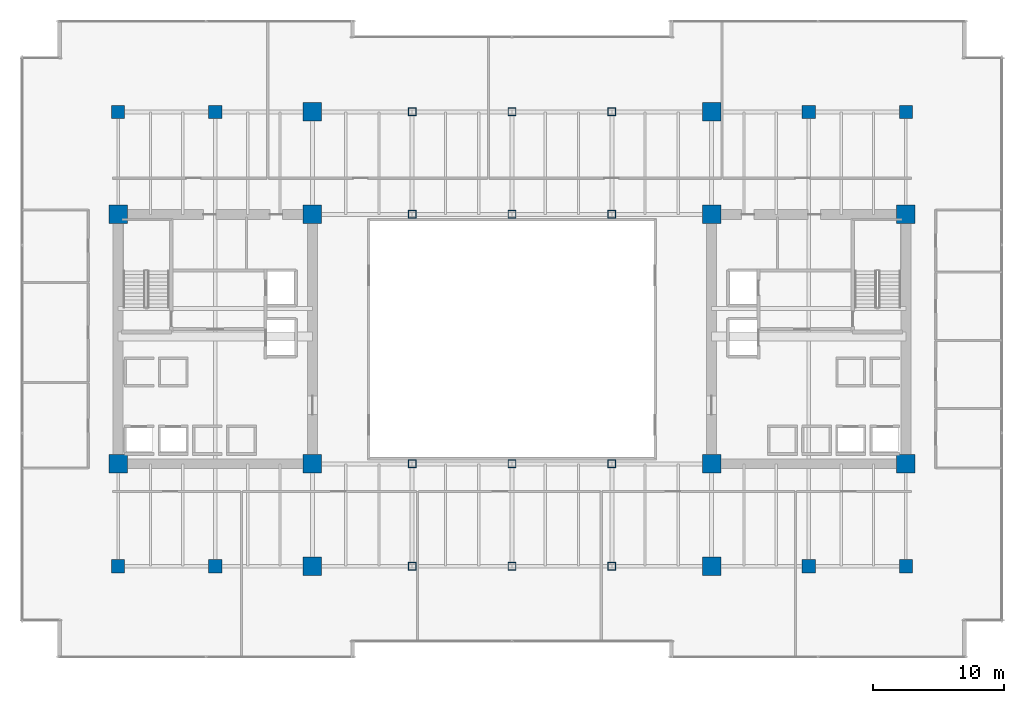
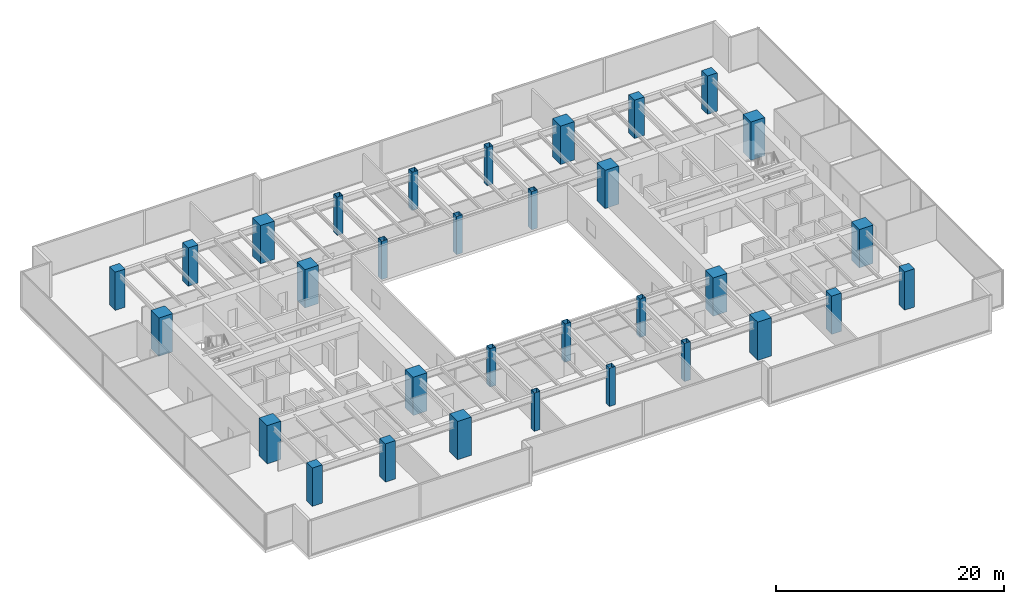
# One storey, part 1 of 35: 32 columns.
"""IFC4 building model written with IfcOpenShell, lengths in metres."""

from ifc_helpers import new_model, si_unit, direction, frame, origin, origin_2d, place, context, subcontext, project, spatial, rectangle, hollow_rectangle, extrude, source, transform, mapped, material, material_profile, profile_set, type_object, type_shapes, element, save


model = new_model("IFC4")

# Units and contexts
model_context = context("Model", 3, precision=1e-05, world=origin(), true_north=direction((0.0, 1.0)))
body_context = subcontext(model_context, "Body", "Model", "MODEL_VIEW")
ifc_project = project(units=[si_unit("LENGTHUNIT", "METRE"), si_unit("AREAUNIT", "SQUARE_METRE"), si_unit("VOLUMEUNIT", "CUBIC_METRE"), si_unit("PLANEANGLEUNIT", "RADIAN"), si_unit("MASSUNIT", "GRAM", prefix="KILO")], contexts=[model_context])

# Site, building, storey
site_placement = place(None, origin())
site = spatial("IfcSite", under=ifc_project, at=site_placement, CompositionType="ELEMENT")
building_placement = place(site_placement, origin())
building = spatial("IfcBuilding", under=site, at=building_placement, Name="Haelvirn Gate Laboratories", CompositionType="ELEMENT")
storey_placement = place(building_placement, frame((0.0, 0.0, 58.0)))
storey = spatial("IfcBuildingStorey", under=building, at=storey_placement, Name="L14", CompositionType="ELEMENT", Elevation=58.0)

# Columns
ifc_material_1 = material(Name="Concrete C60/75", Category="concrete")
ifc_material_profile_1 = material_profile(ifc_material_1, rectangle(XDim=1.0, YDim=1.0, at=origin_2d()), Name="RC-1000x1000")
ifc_profile_set_1 = profile_set([ifc_material_profile_1], Name="Concrete C60/75")
column_type_1 = type_object("IfcColumnType", Name="COL-RC-1000", PredefinedType="COLUMN", material=ifc_profile_set_1)
shared_shape_1 = source(origin(), body_context, "Body", "SweptSolid", [
    extrude(rectangle(XDim=1.0, YDim=1.0, at=origin_2d()), origin(), (0.0, 0.0, 1.0), 4.10009765625),
])
type_shapes(column_type_1, [shared_shape_1])
for number, where, z_axis, x_axis, name in (
    (1, (14.800048828125, 7.0, 0.0), (0.0, 0.0, 1.0), (1.0, 0.0, 0.0), "L14 Column 3B"),
    (2, (14.800048828125, 41.60009765625, 0.0), (0.0, 0.0, 1.0), (1.0, 0.0, 0.0), "L14 Column 3G"),
    (3, (60.0, 7.0, 0.0), (0.0, 0.0, 1.0), (1.0, 0.0, 0.0), "L14 Column 9B"),
    (4, (60.0, 41.60009765625, 0.0), (0.0, 0.0, 1.0), (1.0, 0.0, 0.0), "L14 Column 9G"),
    (5, (7.39990234375, 7.0, 0.0), (0.0, 0.0, 1.0), (1.0, 0.0, 0.0), "L14 Column 2B"),
    (6, (7.39990234375, 41.60009765625, 0.0), (0.0, 0.0, 1.0), (1.0, 0.0, 0.0), "L14 Column 2G"),
    (7, (67.39990234375, 7.0, 0.0), (0.0, 0.0, 1.0), (1.0, 0.0, 0.0), "L14 Column 10B"),
    (8, (67.39990234375, 41.60009765625, 0.0), (0.0, 0.0, 1.0), (1.0, 0.0, 0.0), "L14 Column 10G"),
):
    element("IfcColumn", number, at=place(storey_placement, frame(where, z_axis=z_axis, x_axis=x_axis)), inside=storey, type_object=column_type_1, Name=name, PredefinedType="COLUMN", context=body_context, shape_type="MappedRepresentation", body=[
        mapped(shared_shape_1, transform((0.0, 0.0, 0.0), scale=1.0)),
    ])
ifc_material_2 = material(Name="Concrete C70/85", Category="concrete")
ifc_material_profile_2 = material_profile(ifc_material_2, rectangle(XDim=1.39990234375, YDim=1.39990234375, at=origin_2d()), Name="SRC-1400x1400")
ifc_profile_set_2 = profile_set([ifc_material_profile_2], Name="Concrete C70/85")
column_type_2 = type_object("IfcColumnType", Name="COL-SRC-1400", PredefinedType="COLUMN", material=ifc_profile_set_2)
shared_shape_2 = source(origin(), body_context, "Body", "SweptSolid", [
    extrude(rectangle(XDim=1.39990234375, YDim=1.39990234375, at=origin_2d()), origin(), (0.0, 0.0, 1.0), 4.10009765625),
])
type_shapes(column_type_2, [shared_shape_2])
for number, where, z_axis, x_axis, name in (
    (9, (22.199951171875, 7.0, 0.0), (0.0, 0.0, 1.0), (1.0, 0.0, 0.0), "L14 Column 4B"),
    (10, (7.39990234375, 14.800048828125, 0.0), (0.0, 0.0, 1.0), (1.0, 0.0, 0.0), "L14 Column 2C"),
    (11, (22.199951171875, 14.800048828125, 0.0), (0.0, 0.0, 1.0), (1.0, 0.0, 0.0), "L14 Column 4C"),
    (12, (7.39990234375, 33.800048828125, 0.0), (0.0, 0.0, 1.0), (1.0, 0.0, 0.0), "L14 Column 2F"),
    (13, (22.199951171875, 33.800048828125, 0.0), (0.0, 0.0, 1.0), (1.0, 0.0, 0.0), "L14 Column 4F"),
    (14, (22.199951171875, 41.60009765625, 0.0), (0.0, 0.0, 1.0), (1.0, 0.0, 0.0), "L14 Column 4G"),
    (15, (52.60009765625, 7.0, 0.0), (0.0, 0.0, 1.0), (1.0, 0.0, 0.0), "L14 Column 8B"),
    (16, (52.60009765625, 14.800048828125, 0.0), (0.0, 0.0, 1.0), (1.0, 0.0, 0.0), "L14 Column 8C"),
    (17, (67.39990234375, 14.800048828125, 0.0), (0.0, 0.0, 1.0), (1.0, 0.0, 0.0), "L14 Column 10C"),
    (18, (52.60009765625, 33.800048828125, 0.0), (0.0, 0.0, 1.0), (1.0, 0.0, 0.0), "L14 Column 8F"),
    (19, (67.39990234375, 33.800048828125, 0.0), (0.0, 0.0, 1.0), (1.0, 0.0, 0.0), "L14 Column 10F"),
    (20, (52.60009765625, 41.60009765625, 0.0), (0.0, 0.0, 1.0), (1.0, 0.0, 0.0), "L14 Column 8G"),
):
    element("IfcColumn", number, at=place(storey_placement, frame(where, z_axis=z_axis, x_axis=x_axis)), inside=storey, type_object=column_type_2, Name=name, PredefinedType="COLUMN", context=body_context, shape_type="MappedRepresentation", body=[
        mapped(shared_shape_2, transform((0.0, 0.0, 0.0), scale=1.0)),
    ])
ifc_material_3 = material(Name="Steel SM420", Category="steel")
ifc_material_profile_3 = material_profile(ifc_material_3, hollow_rectangle(XDim=0.60009765625, YDim=0.60009765625, WallThickness=0.028076171875, at=origin_2d()), Name="BOX-600x600x28")
ifc_profile_set_3 = profile_set([ifc_material_profile_3], Name="Steel SM420")
column_type_3 = type_object("IfcColumnType", Name="COL-BOX-600", PredefinedType="COLUMN", material=ifc_profile_set_3)
shared_shape_3 = source(origin(), body_context, "Body", "SweptSolid", [
    extrude(hollow_rectangle(XDim=0.60009765625, YDim=0.60009765625, WallThickness=0.028076171875, at=origin_2d()), origin(), (0.0, 0.0, 1.0), 4.10009765625),
])
type_shapes(column_type_3, [shared_shape_3])
for number, where, z_axis, x_axis, name in (
    (21, (29.800048828125, 7.0, 0.0), (0.0, 0.0, 1.0), (1.0, 0.0, 0.0), "L14 Column 5B"),
    (22, (29.800048828125, 14.800048828125, 0.0), (0.0, 0.0, 1.0), (1.0, 0.0, 0.0), "L14 Column 5C"),
    (23, (29.800048828125, 33.800048828125, 0.0), (0.0, 0.0, 1.0), (1.0, 0.0, 0.0), "L14 Column 5F"),
    (24, (29.800048828125, 41.60009765625, 0.0), (0.0, 0.0, 1.0), (1.0, 0.0, 0.0), "L14 Column 5G"),
    (25, (37.39990234375, 7.0, 0.0), (0.0, 0.0, 1.0), (1.0, 0.0, 0.0), "L14 Column 6B"),
    (26, (37.39990234375, 14.800048828125, 0.0), (0.0, 0.0, 1.0), (1.0, 0.0, 0.0), "L14 Column 6C"),
    (27, (37.39990234375, 33.800048828125, 0.0), (0.0, 0.0, 1.0), (1.0, 0.0, 0.0), "L14 Column 6F"),
    (28, (37.39990234375, 41.60009765625, 0.0), (0.0, 0.0, 1.0), (1.0, 0.0, 0.0), "L14 Column 6G"),
    (29, (45.0, 7.0, 0.0), (0.0, 0.0, 1.0), (1.0, 0.0, 0.0), "L14 Column 7B"),
    (30, (45.0, 14.800048828125, 0.0), (0.0, 0.0, 1.0), (1.0, 0.0, 0.0), "L14 Column 7C"),
    (31, (45.0, 33.800048828125, 0.0), (0.0, 0.0, 1.0), (1.0, 0.0, 0.0), "L14 Column 7F"),
    (32, (45.0, 41.60009765625, 0.0), (0.0, 0.0, 1.0), (1.0, 0.0, 0.0), "L14 Column 7G"),
):
    element("IfcColumn", number, at=place(storey_placement, frame(where, z_axis=z_axis, x_axis=x_axis)), inside=storey, type_object=column_type_3, Name=name, PredefinedType="COLUMN", context=body_context, shape_type="MappedRepresentation", body=[
        mapped(shared_shape_3, transform((0.0, 0.0, 0.0), scale=1.0)),
    ])

save(model, "model.ifc")
